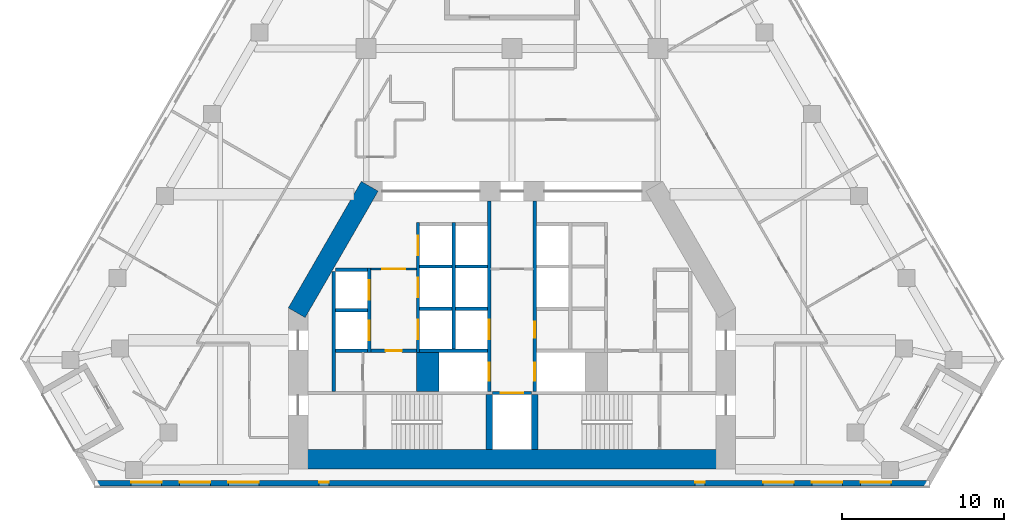
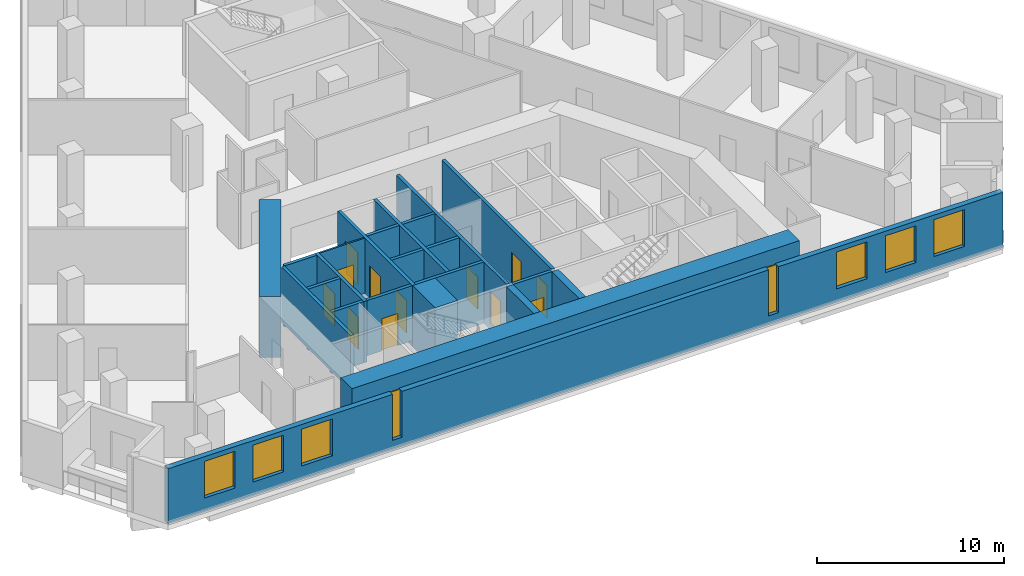
# One storey, part 4 of 10: 23 walls, 12 doors, 8 windows, 20 openings.
"""IFC4 building model written with IfcOpenShell, lengths in metres."""

from ifc_helpers import new_model, si_unit, direction, frame, frame_2d, origin, place, context, subcontext, project, spatial, rectangle, extrude, material, layer, layer_set, type_object, element, fill, save


model = new_model("IFC4")

# Units and contexts
model_context = context("Model", 3, precision=1e-05, world=origin(), true_north=direction((0.0, 1.0)))
body_context = subcontext(model_context, "Body", "Model", "MODEL_VIEW")
ifc_project = project(units=[si_unit("LENGTHUNIT", "METRE"), si_unit("AREAUNIT", "SQUARE_METRE"), si_unit("VOLUMEUNIT", "CUBIC_METRE"), si_unit("PLANEANGLEUNIT", "RADIAN"), si_unit("MASSUNIT", "GRAM", prefix="KILO")], contexts=[model_context])

# Site, building, storey
site_placement = place(None, origin())
site = spatial("IfcSite", under=ifc_project, at=site_placement, CompositionType="ELEMENT")
building_placement = place(site_placement, origin())
building = spatial("IfcBuilding", under=site, at=building_placement, Name="Fogline Exchange Tower", CompositionType="ELEMENT")
storey_placement = place(building_placement, frame((0.0, 0.0, 116.10009765625)))
storey = spatial("IfcBuildingStorey", under=building, at=storey_placement, Name="L25", CompositionType="ELEMENT", Elevation=116.10009765625)

# Wall, opening, door
ifc_material_1 = material(Name="Blockwork partition", Category="masonry")
ifc_layer_1 = layer(ifc_material_1, 0.10009765625)
ifc_layer_set_1 = layer_set([ifc_layer_1], Name="CW10")
wall_type_1 = type_object("IfcWallType", Name="CW10", PredefinedType="PARTITIONING", material=ifc_layer_set_1)
wall_1_placement = place(storey_placement, frame((-8.699951171875, 13.39990234375, 0.0), z_axis=(0.0, 0.0, 1.0), x_axis=(1.0, 0.0, 0.0)))
wall_1 = element("IfcWall", 1, at=wall_1_placement, inside=storey, type_object=wall_type_1, Name="Lift lobby partition", PredefinedType="PARTITIONING", context=body_context, shape_type="SweptSolid", body=[
    extrude(rectangle(XDim=2.800048828125, YDim=0.10009765625, at=frame_2d((1.39990234375, 0.0))), origin(), (0.0, 0.0, 1.0), 3.599853515625),
])
opening_1_placement = place(wall_1_placement, frame((0.699951171875, 0.0, 0.0)))
opening_1 = element("IfcOpeningElement", 2, at=opening_1_placement, cuts=wall_1, Name="Opening T07-C007", PredefinedType="OPENING", context=body_context, shape_type="SweptSolid", body=[
    extrude(rectangle(XDim=1.39990234375, YDim=2.10009765625, at=frame_2d((0.699951171875, 1.050048828125))), frame((0.0, 0.06005859375, 0.0), z_axis=(0.0, -1.0, 0.0), x_axis=(1.0, 0.0, 0.0)), (0.0, 0.0, 1.0), 0.1201171875),
])
ifc_material_2 = material(Name="Steel and timber fire door", Category="steel")
door_type_1 = type_object("IfcDoorType", Name="D-LB1", OperationType="DOUBLE_DOOR_SINGLE_SWING", PredefinedType="DOOR", material=ifc_material_2)
door_1_placement = place(opening_1_placement, frame((1.39990234375, 0.0, 0.0), z_axis=(0.0, 0.0, 1.0), x_axis=(-1.0, 0.0, 0.0)))
door_1 = element("IfcDoor", 3, at=door_1_placement, inside=storey, type_object=door_type_1, Name="Door to lift lobby", OperationType="DOUBLE_DOOR_SINGLE_SWING", OverallHeight=2.10009765625, OverallWidth=1.39990234375, PredefinedType="DOOR", context=body_context, shape_type="SweptSolid", body=[
    extrude(rectangle(XDim=1.39990234375, YDim=2.10009765625, at=frame_2d((0.699951171875, 1.050048828125))), frame((0.0, 0.02490234375, 0.0), z_axis=(0.0, -1.0, 0.0), x_axis=(1.0, 0.0, 0.0)), (0.0, 0.0, 1.0), 0.050048828125),
])
fill(opening_1, door_1)

# Walls
ifc_material_3 = material(Name="Concrete C60", Category="concrete")
ifc_layer_2 = layer(ifc_material_3, 1.39990234375)
ifc_layer_set_2 = layer_set([ifc_layer_2], Name="CW140")
wall_type_2 = type_object("IfcWallType", Name="CW140", PredefinedType="SOLIDWALL", material=ifc_layer_set_2)
wall_2_placement = place(storey_placement, frame((-5.199951171875, 5.85009765625, -0.400146484375), z_axis=(0.0, 0.0, 1.0), x_axis=(0.0, 1.0, 0.0)))
element("IfcWall", 4, at=wall_2_placement, inside=storey, type_object=wall_type_2, Name="Lift shaft block wall", PredefinedType="SOLIDWALL", context=body_context, shape_type="SweptSolid", body=[
    extrude(rectangle(XDim=2.39990234375, YDim=1.39990234375, at=frame_2d((1.199951171875, 0.0))), origin(), (0.0, 0.0, 1.0), 4.0),
])
ifc_material_4 = material(Name="Concrete C40", Category="concrete")
ifc_layer_3 = layer(ifc_material_4, 0.199951171875)
ifc_layer_set_3 = layer_set([ifc_layer_3], Name="CW20")
wall_type_3 = type_object("IfcWallType", Name="CW20", PredefinedType="SOLIDWALL", material=ifc_layer_set_3)
wall_3_placement = place(storey_placement, frame((-11.0, 5.85009765625, 0.0), z_axis=(0.0, 0.0, 1.0), x_axis=(0.0, 1.0, 0.0)))
element("IfcWall", 5, at=wall_3_placement, inside=storey, type_object=wall_type_3, Name="Service room wall", PredefinedType="SOLIDWALL", context=body_context, shape_type="SweptSolid", body=[
    extrude(rectangle(XDim=7.39990234375, YDim=0.199951171875, at=frame_2d((3.699951171875, 0.0))), origin(), (0.0, 0.0, 1.0), 3.599853515625),
])

# Wall, opening, door
wall_4_placement = place(storey_placement, frame((-8.699951171875, 8.35009765625, 0.0), z_axis=(0.0, 0.0, 1.0), x_axis=(1.0, 0.0, 0.0)))
wall_4 = element("IfcWall", 6, at=wall_4_placement, inside=storey, type_object=wall_type_3, Name="WC wall", PredefinedType="SOLIDWALL", context=body_context, shape_type="SweptSolid", body=[
    extrude(rectangle(XDim=2.800048828125, YDim=0.199951171875, at=frame_2d((1.39990234375, 0.0))), origin(), (0.0, 0.0, 1.0), 3.599853515625),
])
opening_2_placement = place(wall_4_placement, frame((0.89990234375, 0.0, 0.0)))
opening_2 = element("IfcOpeningElement", 7, at=opening_2_placement, cuts=wall_4, Name="Opening T07-C008", PredefinedType="OPENING", context=body_context, shape_type="SweptSolid", body=[
    extrude(rectangle(XDim=1.0, YDim=2.10009765625, at=frame_2d((0.5, 1.050048828125))), frame((0.0, 0.10986328125, 0.0), z_axis=(0.0, -1.0, 0.0), x_axis=(1.0, 0.0, 0.0)), (0.0, 0.0, 1.0), 0.219970703125),
])
door_type_2 = type_object("IfcDoorType", Name="D-WC1", OperationType="SINGLE_SWING_LEFT", PredefinedType="DOOR", material=ifc_material_2)
door_2_placement = place(opening_2_placement, frame((1.0, 0.0, 0.0), z_axis=(0.0, 0.0, 1.0), x_axis=(-1.0, 0.0, 0.0)))
door_2 = element("IfcDoor", 8, at=door_2_placement, inside=storey, type_object=door_type_2, Name="Door to Men's WC", OperationType="SINGLE_SWING_LEFT", OverallHeight=2.10009765625, OverallWidth=1.0, PredefinedType="DOOR", context=body_context, shape_type="SweptSolid", body=[
    extrude(rectangle(XDim=1.0, YDim=2.10009765625, at=frame_2d((0.5, 1.050048828125))), frame((0.0, 0.02490234375, 0.0), z_axis=(0.0, -1.0, 0.0), x_axis=(1.0, 0.0, 0.0)), (0.0, 0.0, 1.0), 0.050048828125),
])
fill(opening_2, door_2)

ifc_layer_4 = layer(ifc_material_4, 0.199951171875)
ifc_layer_set_4 = layer_set([ifc_layer_4], Name="CW20R")
wall_type_4 = type_object("IfcWallType", Name="CW20R", PredefinedType="SOLIDWALL", material=ifc_layer_set_4)
wall_5_placement = place(storey_placement, frame((-1.199951171875, 5.75, -0.400146484375), z_axis=(0.0, 0.0, 1.0), x_axis=(1.0, 0.0, 0.0)))
wall_5 = element("IfcWall", 9, at=wall_5_placement, inside=storey, type_object=wall_type_4, Name="Stair enclosure wall", PredefinedType="SOLIDWALL", context=body_context, shape_type="SweptSolid", body=[
    extrude(rectangle(XDim=2.39990234375, YDim=0.199951171875, at=frame_2d((1.199951171875, 0.0))), origin(), (0.0, 0.0, 1.0), 4.0),
])
opening_3_placement = place(wall_5_placement, frame((0.5, 0.0, 0.39990234375)))
opening_3 = element("IfcOpeningElement", 10, at=opening_3_placement, cuts=wall_5, Name="Opening T07-LD09", PredefinedType="OPENING", context=body_context, shape_type="SweptSolid", body=[
    extrude(rectangle(XDim=1.39990234375, YDim=2.10009765625, at=frame_2d((0.699951171875, 1.050048828125))), frame((0.0, 0.10986328125, 0.0), z_axis=(0.0, -1.0, 0.0), x_axis=(1.0, 0.0, 0.0)), (0.0, 0.0, 1.0), 0.219970703125),
])
door_type_3 = type_object("IfcDoorType", Name="LD3", OperationType="SLIDING_TO_LEFT", PredefinedType="DOOR", material=ifc_material_2)
door_3_placement = place(opening_3_placement, origin())
door_3 = element("IfcDoor", 11, at=door_3_placement, inside=storey, type_object=door_type_3, Name="Landing door GL1", OperationType="SLIDING_TO_LEFT", OverallHeight=2.10009765625, OverallWidth=1.39990234375, PredefinedType="DOOR", context=body_context, shape_type="SweptSolid", body=[
    extrude(rectangle(XDim=1.39990234375, YDim=2.10009765625, at=frame_2d((0.699951171875, 1.050048828125))), frame((0.0, 0.02490234375, 0.0), z_axis=(0.0, -1.0, 0.0), x_axis=(1.0, 0.0, 0.0)), (0.0, 0.0, 1.0), 0.050048828125),
])
fill(opening_3, door_3)

# Wall, openings, doors
ifc_layer_5 = layer(ifc_material_4, 0.199951171875)
ifc_layer_set_5 = layer_set([ifc_layer_5], Name="CW20S")
wall_type_5 = type_object("IfcWallType", Name="CW20S", PredefinedType="SOLIDWALL", material=ifc_layer_set_5)
wall_6_placement = place(storey_placement, frame((-8.800048828125, 8.25, -0.400146484375), z_axis=(0.0, 0.0, 1.0), x_axis=(0.0, 1.0, 0.0)))
wall_6 = element("IfcWall", 12, at=wall_6_placement, inside=storey, type_object=wall_type_5, Name="Lift shaft wall", PredefinedType="SOLIDWALL", context=body_context, shape_type="SweptSolid", body=[
    extrude(rectangle(XDim=5.199951171875, YDim=0.199951171875, at=frame_2d((2.60009765625, 0.0))), origin(), (0.0, 0.0, 1.0), 4.0),
])
opening_4_placement = place(wall_6_placement, frame((0.75, 0.0, 0.39990234375)))
opening_4 = element("IfcOpeningElement", 13, at=opening_4_placement, cuts=wall_6, Name="Opening T07-LD01", PredefinedType="OPENING", context=body_context, shape_type="SweptSolid", body=[
    extrude(rectangle(XDim=1.199951171875, YDim=2.10009765625, at=frame_2d((0.60009765625, 1.050048828125))), frame((0.0, 0.10986328125, 0.0), z_axis=(0.0, -1.0, 0.0), x_axis=(1.0, 0.0, 0.0)), (0.0, 0.0, 1.0), 0.219970703125),
])
opening_5_placement = place(wall_6_placement, frame((3.25, 0.0, 0.39990234375)))
opening_5 = element("IfcOpeningElement", 14, at=opening_5_placement, cuts=wall_6, Name="Opening T07-LD02", PredefinedType="OPENING", context=body_context, shape_type="SweptSolid", body=[
    extrude(rectangle(XDim=1.199951171875, YDim=2.10009765625, at=frame_2d((0.60009765625, 1.050048828125))), frame((0.0, 0.10986328125, 0.0), z_axis=(0.0, -1.0, 0.0), x_axis=(1.0, 0.0, 0.0)), (0.0, 0.0, 1.0), 0.219970703125),
])
door_type_4 = type_object("IfcDoorType", Name="LD1", OperationType="SLIDING_TO_LEFT", PredefinedType="DOOR", material=ifc_material_2)
door_4_placement = place(opening_4_placement, origin())
door_4 = element("IfcDoor", 15, at=door_4_placement, inside=storey, type_object=door_type_4, Name="Landing door LR1", OperationType="SLIDING_TO_LEFT", OverallHeight=2.10009765625, OverallWidth=1.199951171875, PredefinedType="DOOR", context=body_context, shape_type="SweptSolid", body=[
    extrude(rectangle(XDim=1.199951171875, YDim=2.10009765625, at=frame_2d((0.60009765625, 1.050048828125))), frame((0.0, 0.02490234375, 0.0), z_axis=(0.0, -1.0, 0.0), x_axis=(1.0, 0.0, 0.0)), (0.0, 0.0, 1.0), 0.050048828125),
])
fill(opening_4, door_4)
door_5_placement = place(opening_5_placement, origin())
door_5 = element("IfcDoor", 16, at=door_5_placement, inside=storey, type_object=door_type_4, Name="Landing door LR2", OperationType="SLIDING_TO_LEFT", OverallHeight=2.10009765625, OverallWidth=1.199951171875, PredefinedType="DOOR", context=body_context, shape_type="SweptSolid", body=[
    extrude(rectangle(XDim=1.199951171875, YDim=2.10009765625, at=frame_2d((0.60009765625, 1.050048828125))), frame((0.0, 0.02490234375, 0.0), z_axis=(0.0, -1.0, 0.0), x_axis=(1.0, 0.0, 0.0)), (0.0, 0.0, 1.0), 0.050048828125),
])
fill(opening_5, door_5)

wall_7_placement = place(storey_placement, frame((-5.800048828125, 8.25, -0.400146484375), z_axis=(0.0, 0.0, 1.0), x_axis=(0.0, 1.0, 0.0)))
wall_7 = element("IfcWall", 17, at=wall_7_placement, inside=storey, type_object=wall_type_5, Name="Lift shaft wall", PredefinedType="SOLIDWALL", context=body_context, shape_type="SweptSolid", body=[
    extrude(rectangle(XDim=8.0, YDim=0.199951171875, at=frame_2d((4.0, 0.0))), origin(), (0.0, 0.0, 1.0), 4.0),
])
opening_6_placement = place(wall_7_placement, frame((0.800048828125, 0.0, 0.39990234375)))
opening_6 = element("IfcOpeningElement", 18, at=opening_6_placement, cuts=wall_7, Name="Opening T07-LD03", PredefinedType="OPENING", context=body_context, shape_type="SweptSolid", body=[
    extrude(rectangle(XDim=1.199951171875, YDim=2.10009765625, at=frame_2d((0.60009765625, 1.050048828125))), frame((0.0, 0.10986328125, 0.0), z_axis=(0.0, -1.0, 0.0), x_axis=(1.0, 0.0, 0.0)), (0.0, 0.0, 1.0), 0.219970703125),
])
opening_7_placement = place(wall_7_placement, frame((3.39990234375, 0.0, 0.39990234375)))
opening_7 = element("IfcOpeningElement", 19, at=opening_7_placement, cuts=wall_7, Name="Opening T07-LD04", PredefinedType="OPENING", context=body_context, shape_type="SweptSolid", body=[
    extrude(rectangle(XDim=1.199951171875, YDim=2.10009765625, at=frame_2d((0.60009765625, 1.050048828125))), frame((0.0, 0.10986328125, 0.0), z_axis=(0.0, -1.0, 0.0), x_axis=(1.0, 0.0, 0.0)), (0.0, 0.0, 1.0), 0.219970703125),
])
opening_8_placement = place(wall_7_placement, frame((6.0, 0.0, 0.39990234375)))
opening_8 = element("IfcOpeningElement", 20, at=opening_8_placement, cuts=wall_7, Name="Opening T07-LD05", PredefinedType="OPENING", context=body_context, shape_type="SweptSolid", body=[
    extrude(rectangle(XDim=1.199951171875, YDim=2.10009765625, at=frame_2d((0.60009765625, 1.050048828125))), frame((0.0, 0.10986328125, 0.0), z_axis=(0.0, -1.0, 0.0), x_axis=(1.0, 0.0, 0.0)), (0.0, 0.0, 1.0), 0.219970703125),
])
door_6_placement = place(opening_6_placement, origin())
door_6 = element("IfcDoor", 21, at=door_6_placement, inside=storey, type_object=door_type_4, Name="Landing door LR3", OperationType="SLIDING_TO_LEFT", OverallHeight=2.10009765625, OverallWidth=1.199951171875, PredefinedType="DOOR", context=body_context, shape_type="SweptSolid", body=[
    extrude(rectangle(XDim=1.199951171875, YDim=2.10009765625, at=frame_2d((0.60009765625, 1.050048828125))), frame((0.0, 0.02490234375, 0.0), z_axis=(0.0, -1.0, 0.0), x_axis=(1.0, 0.0, 0.0)), (0.0, 0.0, 1.0), 0.050048828125),
])
fill(opening_6, door_6)
door_7_placement = place(opening_7_placement, origin())
door_7 = element("IfcDoor", 22, at=door_7_placement, inside=storey, type_object=door_type_4, Name="Landing door LR4", OperationType="SLIDING_TO_LEFT", OverallHeight=2.10009765625, OverallWidth=1.199951171875, PredefinedType="DOOR", context=body_context, shape_type="SweptSolid", body=[
    extrude(rectangle(XDim=1.199951171875, YDim=2.10009765625, at=frame_2d((0.60009765625, 1.050048828125))), frame((0.0, 0.02490234375, 0.0), z_axis=(0.0, -1.0, 0.0), x_axis=(1.0, 0.0, 0.0)), (0.0, 0.0, 1.0), 0.050048828125),
])
fill(opening_7, door_7)
door_8_placement = place(opening_8_placement, origin())
door_8 = element("IfcDoor", 23, at=door_8_placement, inside=storey, type_object=door_type_4, Name="Landing door LR5", OperationType="SLIDING_TO_LEFT", OverallHeight=2.10009765625, OverallWidth=1.199951171875, PredefinedType="DOOR", context=body_context, shape_type="SweptSolid", body=[
    extrude(rectangle(XDim=1.199951171875, YDim=2.10009765625, at=frame_2d((0.60009765625, 1.050048828125))), frame((0.0, 0.02490234375, 0.0), z_axis=(0.0, -1.0, 0.0), x_axis=(1.0, 0.0, 0.0)), (0.0, 0.0, 1.0), 0.050048828125),
])
fill(opening_8, door_8)

# Wall
wall_8_placement = place(storey_placement, frame((-3.60009765625, 8.449951171875, -0.400146484375), z_axis=(0.0, 0.0, 1.0), x_axis=(0.0, 1.0, 0.0)))
element("IfcWall", 24, at=wall_8_placement, inside=storey, type_object=wall_type_5, Name="Lift shaft wall", PredefinedType="SOLIDWALL", context=body_context, shape_type="SweptSolid", body=[
    extrude(rectangle(XDim=7.800048828125, YDim=0.199951171875, at=frame_2d((3.89990234375, 0.0))), origin(), (0.0, 0.0, 1.0), 4.0),
])

# Wall, openings, doors
wall_9_placement = place(storey_placement, frame((-1.39990234375, 5.85009765625, -0.400146484375), z_axis=(0.0, 0.0, 1.0), x_axis=(0.0, 1.0, 0.0)))
wall_9 = element("IfcWall", 25, at=wall_9_placement, inside=storey, type_object=wall_type_5, Name="Lift lobby wall", PredefinedType="SOLIDWALL", context=body_context, shape_type="SweptSolid", body=[
    extrude(rectangle(XDim=11.75, YDim=0.199951171875, at=frame_2d((5.875, 0.0))), origin(), (0.0, 0.0, 1.0), 4.0),
])
opening_9_placement = place(wall_9_placement, frame((3.199951171875, 0.0, 0.39990234375)))
opening_9 = element("IfcOpeningElement", 26, at=opening_9_placement, cuts=wall_9, Name="Opening T07-LD06", PredefinedType="OPENING", context=body_context, shape_type="SweptSolid", body=[
    extrude(rectangle(XDim=1.199951171875, YDim=2.10009765625, at=frame_2d((0.60009765625, 1.050048828125))), frame((0.0, 0.10986328125, 0.0), z_axis=(0.0, -1.0, 0.0), x_axis=(1.0, 0.0, 0.0)), (0.0, 0.0, 1.0), 0.219970703125),
])
opening_10_placement = place(wall_9_placement, frame((0.64990234375, 0.0, 0.39990234375)))
opening_10 = element("IfcOpeningElement", 27, at=opening_10_placement, cuts=wall_9, Name="Opening T07-LD07", PredefinedType="OPENING", context=body_context, shape_type="SweptSolid", body=[
    extrude(rectangle(XDim=1.10009765625, YDim=2.10009765625, at=frame_2d((0.550048828125, 1.050048828125))), frame((0.0, 0.10986328125, 0.0), z_axis=(0.0, -1.0, 0.0), x_axis=(1.0, 0.0, 0.0)), (0.0, 0.0, 1.0), 0.219970703125),
])
door_9_placement = place(opening_9_placement, origin())
door_9 = element("IfcDoor", 28, at=door_9_placement, inside=storey, type_object=door_type_4, Name="Landing door LR6", OperationType="SLIDING_TO_LEFT", OverallHeight=2.10009765625, OverallWidth=1.199951171875, PredefinedType="DOOR", context=body_context, shape_type="SweptSolid", body=[
    extrude(rectangle(XDim=1.199951171875, YDim=2.10009765625, at=frame_2d((0.60009765625, 1.050048828125))), frame((0.0, 0.02490234375, 0.0), z_axis=(0.0, -1.0, 0.0), x_axis=(1.0, 0.0, 0.0)), (0.0, 0.0, 1.0), 0.050048828125),
])
fill(opening_9, door_9)
door_type_5 = type_object("IfcDoorType", Name="LD2", OperationType="SLIDING_TO_RIGHT", PredefinedType="DOOR", material=ifc_material_2)
door_10_placement = place(opening_10_placement, origin())
door_10 = element("IfcDoor", 29, at=door_10_placement, inside=storey, type_object=door_type_5, Name="Landing door FF1", OperationType="SLIDING_TO_RIGHT", OverallHeight=2.10009765625, OverallWidth=1.10009765625, PredefinedType="DOOR", context=body_context, shape_type="SweptSolid", body=[
    extrude(rectangle(XDim=1.10009765625, YDim=2.10009765625, at=frame_2d((0.550048828125, 1.050048828125))), frame((0.0, 0.02490234375, 0.0), z_axis=(0.0, -1.0, 0.0), x_axis=(1.0, 0.0, 0.0)), (0.0, 0.0, 1.0), 0.050048828125),
])
fill(opening_10, door_10)

wall_10_placement = place(storey_placement, frame((1.39990234375, 5.85009765625, -0.400146484375), z_axis=(0.0, 0.0, 1.0), x_axis=(0.0, 1.0, 0.0)))
wall_10 = element("IfcWall", 30, at=wall_10_placement, inside=storey, type_object=wall_type_5, Name="Lift lobby wall", PredefinedType="SOLIDWALL", context=body_context, shape_type="SweptSolid", body=[
    extrude(rectangle(XDim=11.75, YDim=0.199951171875, at=frame_2d((5.875, 0.0))), origin(), (0.0, 0.0, 1.0), 4.0),
])
opening_11_placement = place(wall_10_placement, frame((0.64990234375, 0.0, 0.39990234375)))
opening_11 = element("IfcOpeningElement", 31, at=opening_11_placement, cuts=wall_10, Name="Opening T07-LD08", PredefinedType="OPENING", context=body_context, shape_type="SweptSolid", body=[
    extrude(rectangle(XDim=1.10009765625, YDim=2.10009765625, at=frame_2d((0.550048828125, 1.050048828125))), frame((0.0, 0.10986328125, 0.0), z_axis=(0.0, -1.0, 0.0), x_axis=(1.0, 0.0, 0.0)), (0.0, 0.0, 1.0), 0.219970703125),
])
opening_12_placement = place(wall_10_placement, frame((3.300048828125, 0.0, 0.39990234375)))
opening_12 = element("IfcOpeningElement", 32, at=opening_12_placement, cuts=wall_10, Name="Opening T07-C006", PredefinedType="OPENING", context=body_context, shape_type="SweptSolid", body=[
    extrude(rectangle(XDim=1.0, YDim=2.10009765625, at=frame_2d((0.5, 1.050048828125))), frame((0.0, 0.10986328125, 0.0), z_axis=(0.0, -1.0, 0.0), x_axis=(1.0, 0.0, 0.0)), (0.0, 0.0, 1.0), 0.219970703125),
])
door_type_6 = type_object("IfcDoorType", Name="D-RM1", OperationType="SINGLE_SWING_LEFT", PredefinedType="DOOR", material=ifc_material_2)
door_11_placement = place(opening_12_placement, frame((1.0, 0.0, 0.0), z_axis=(0.0, 0.0, 1.0), x_axis=(-1.0, 0.0, 0.0)))
door_11 = element("IfcDoor", 33, at=door_11_placement, inside=storey, type_object=door_type_6, Name="Door to Server Room", OperationType="SINGLE_SWING_RIGHT", OverallHeight=2.10009765625, OverallWidth=1.0, PredefinedType="DOOR", context=body_context, shape_type="SweptSolid", body=[
    extrude(rectangle(XDim=1.0, YDim=2.10009765625, at=frame_2d((0.5, 1.050048828125))), frame((0.0, 0.02490234375, 0.0), z_axis=(0.0, -1.0, 0.0), x_axis=(1.0, 0.0, 0.0)), (0.0, 0.0, 1.0), 0.050048828125),
])
fill(opening_12, door_11)
door_12_placement = place(opening_11_placement, origin())
door_12 = element("IfcDoor", 34, at=door_12_placement, inside=storey, type_object=door_type_5, Name="Landing door FF2", OperationType="SLIDING_TO_RIGHT", OverallHeight=2.10009765625, OverallWidth=1.10009765625, PredefinedType="DOOR", context=body_context, shape_type="SweptSolid", body=[
    extrude(rectangle(XDim=1.10009765625, YDim=2.10009765625, at=frame_2d((0.550048828125, 1.050048828125))), frame((0.0, 0.02490234375, 0.0), z_axis=(0.0, -1.0, 0.0), x_axis=(1.0, 0.0, 0.0)), (0.0, 0.0, 1.0), 0.050048828125),
])
fill(opening_11, door_12)

# Walls
wall_11_placement = place(storey_placement, frame((-10.89990234375, 8.35009765625, -0.400146484375), z_axis=(0.0, 0.0, 1.0), x_axis=(1.0, 0.0, 0.0)))
element("IfcWall", 35, at=wall_11_placement, inside=storey, type_object=wall_type_5, Name="Lift shaft wall", PredefinedType="SOLIDWALL", context=body_context, shape_type="SweptSolid", body=[
    extrude(rectangle(XDim=2.0, YDim=0.199951171875, at=frame_2d((1.0, 0.0))), origin(), (0.0, 0.0, 1.0), 4.0),
])
wall_12_placement = place(storey_placement, frame((-5.699951171875, 8.35009765625, -0.400146484375), z_axis=(0.0, 0.0, 1.0), x_axis=(1.0, 0.0, 0.0)))
element("IfcWall", 36, at=wall_12_placement, inside=storey, type_object=wall_type_5, Name="Lift shaft wall", PredefinedType="SOLIDWALL", context=body_context, shape_type="SweptSolid", body=[
    extrude(rectangle(XDim=4.199951171875, YDim=0.199951171875, at=frame_2d((2.10009765625, 0.0))), origin(), (0.0, 0.0, 1.0), 4.0),
])
for number, where, z_axis, x_axis, name in (
    (37, (-10.89990234375, 10.85009765625, -0.400146484375), (0.0, 0.0, 1.0), (1.0, 0.0, 0.0), "Lift shaft wall"),
    (38, (-10.89990234375, 13.35009765625, -0.400146484375), (0.0, 0.0, 1.0), (1.0, 0.0, 0.0), "Lift shaft wall"),
    (39, (-5.699951171875, 10.949951171875, -0.400146484375), (0.0, 0.0, 1.0), (1.0, 0.0, 0.0), "Lift shaft wall"),
    (40, (-5.699951171875, 13.550048828125, -0.400146484375), (0.0, 0.0, 1.0), (1.0, 0.0, 0.0), "Lift shaft wall"),
    (41, (-3.5, 10.949951171875, -0.400146484375), (0.0, 0.0, 1.0), (1.0, 0.0, 0.0), "Lift shaft wall"),
    (42, (-3.5, 13.550048828125, -0.400146484375), (0.0, 0.0, 1.0), (1.0, 0.0, 0.0), "Lift shaft wall"),
):
    element("IfcWall", number, at=place(storey_placement, frame(where, z_axis=z_axis, x_axis=x_axis)), inside=storey, type_object=wall_type_5, Name=name, PredefinedType="SOLIDWALL", context=body_context, shape_type="SweptSolid", body=[
        extrude(rectangle(XDim=2.0, YDim=0.199951171875, at=frame_2d((1.0, 0.0))), origin(), (0.0, 0.0, 1.0), 4.0),
    ])
ifc_layer_6 = layer(ifc_material_4, 0.39990234375)
ifc_layer_set_6 = layer_set([ifc_layer_6], Name="CW40R")
wall_type_6 = type_object("IfcWallType", Name="CW40R", PredefinedType="SOLIDWALL", material=ifc_layer_set_6)
for number, where, z_axis, x_axis, name in (
    (43, (-1.39990234375, 2.25, -0.400146484375), (0.0, 0.0, 1.0), (0.0, 1.0, 0.0), "Stair and lift shaft wall"),
    (44, (1.39990234375, 2.25, -0.400146484375), (0.0, 0.0, 1.0), (0.0, 1.0, 0.0), "Stair and lift shaft wall"),
):
    element("IfcWall", number, at=place(storey_placement, frame(where, z_axis=z_axis, x_axis=x_axis)), inside=storey, type_object=wall_type_6, Name=name, PredefinedType="SOLIDWALL", context=body_context, shape_type="SweptSolid", body=[
        extrude(rectangle(XDim=3.39990234375, YDim=0.39990234375, at=frame_2d((1.699951171875, 0.0))), origin(), (0.0, 0.0, 1.0), 4.0),
    ])

# Wall, openings, windows
ifc_material_5 = material(Name="Brick masonry", Category="masonry")
ifc_layer_7 = layer(ifc_material_5, 0.340087890625)
ifc_layer_set_7 = layer_set([ifc_layer_7], Name="FW1")
wall_type_7 = type_object("IfcWallType", Name="FW1", PredefinedType="SOLIDWALL", material=ifc_layer_set_7)
wall_13_placement = place(storey_placement, frame((-25.765625, 0.169921875, 0.0), z_axis=(0.0, 0.0, 1.0), x_axis=(1.0, 0.0, 0.0)))
wall_13 = element("IfcWall", 45, at=wall_13_placement, inside=storey, type_object=wall_type_7, Name="Brick wall L25 S", PredefinedType="SOLIDWALL", context=body_context, shape_type="SweptSolid", body=[
    extrude(rectangle(XDim=51.53125, YDim=0.340087890625, at=frame_2d((25.765625, 0.0))), origin(), (0.0, 0.0, 1.0), 3.599853515625),
])
opening_13_placement = place(wall_13_placement, frame((2.265625, 0.0, 0.89990234375)))
opening_13 = element("IfcOpeningElement", 46, at=opening_13_placement, cuts=wall_13, Name="Opening W1", PredefinedType="OPENING", context=body_context, shape_type="SweptSolid", body=[
    extrude(rectangle(XDim=1.885009765625, YDim=2.39990234375, at=frame_2d((0.9423828125, 1.199951171875))), frame((0.0, 0.18017578125, 0.0), z_axis=(0.0, -1.0, 0.0), x_axis=(1.0, 0.0, 0.0)), (0.0, 0.0, 1.0), 0.360107421875),
])
opening_14_placement = place(wall_13_placement, frame((5.265625, 0.0, 0.89990234375)))
opening_14 = element("IfcOpeningElement", 47, at=opening_14_placement, cuts=wall_13, Name="Opening W1", PredefinedType="OPENING", context=body_context, shape_type="SweptSolid", body=[
    extrude(rectangle(XDim=1.885009765625, YDim=2.39990234375, at=frame_2d((0.9423828125, 1.199951171875))), frame((0.0, 0.18017578125, 0.0), z_axis=(0.0, -1.0, 0.0), x_axis=(1.0, 0.0, 0.0)), (0.0, 0.0, 1.0), 0.360107421875),
])
opening_15_placement = place(wall_13_placement, frame((8.265625, 0.0, 0.89990234375)))
opening_15 = element("IfcOpeningElement", 48, at=opening_15_placement, cuts=wall_13, Name="Opening W1", PredefinedType="OPENING", context=body_context, shape_type="SweptSolid", body=[
    extrude(rectangle(XDim=1.885009765625, YDim=2.39990234375, at=frame_2d((0.9423828125, 1.199951171875))), frame((0.0, 0.18017578125, 0.0), z_axis=(0.0, -1.0, 0.0), x_axis=(1.0, 0.0, 0.0)), (0.0, 0.0, 1.0), 0.360107421875),
])
opening_16_placement = place(wall_13_placement, frame((41.265625, 0.0, 0.89990234375)))
opening_16 = element("IfcOpeningElement", 49, at=opening_16_placement, cuts=wall_13, Name="Opening W1", PredefinedType="OPENING", context=body_context, shape_type="SweptSolid", body=[
    extrude(rectangle(XDim=1.885009765625, YDim=2.39990234375, at=frame_2d((0.9423828125, 1.199951171875))), frame((0.0, 0.18017578125, 0.0), z_axis=(0.0, -1.0, 0.0), x_axis=(1.0, 0.0, 0.0)), (0.0, 0.0, 1.0), 0.360107421875),
])
opening_17_placement = place(wall_13_placement, frame((44.265625, 0.0, 0.89990234375)))
opening_17 = element("IfcOpeningElement", 50, at=opening_17_placement, cuts=wall_13, Name="Opening W1", PredefinedType="OPENING", context=body_context, shape_type="SweptSolid", body=[
    extrude(rectangle(XDim=1.885009765625, YDim=2.39990234375, at=frame_2d((0.9423828125, 1.199951171875))), frame((0.0, 0.18017578125, 0.0), z_axis=(0.0, -1.0, 0.0), x_axis=(1.0, 0.0, 0.0)), (0.0, 0.0, 1.0), 0.360107421875),
])
opening_18_placement = place(wall_13_placement, frame((47.265625, 0.0, 0.89990234375)))
opening_18 = element("IfcOpeningElement", 51, at=opening_18_placement, cuts=wall_13, Name="Opening W1", PredefinedType="OPENING", context=body_context, shape_type="SweptSolid", body=[
    extrude(rectangle(XDim=1.885009765625, YDim=2.39990234375, at=frame_2d((0.9423828125, 1.199951171875))), frame((0.0, 0.18017578125, 0.0), z_axis=(0.0, -1.0, 0.0), x_axis=(1.0, 0.0, 0.0)), (0.0, 0.0, 1.0), 0.360107421875),
])
opening_19_placement = place(wall_13_placement, frame((13.86572265625, 0.0, 0.60009765625)))
opening_19 = element("IfcOpeningElement", 52, at=opening_19_placement, cuts=wall_13, Name="Opening W5", PredefinedType="OPENING", context=body_context, shape_type="SweptSolid", body=[
    extrude(rectangle(XDim=0.60009765625, YDim=3.0, at=frame_2d((0.300048828125, 1.5))), frame((0.0, 0.18017578125, 0.0), z_axis=(0.0, -1.0, 0.0), x_axis=(1.0, 0.0, 0.0)), (0.0, 0.0, 1.0), 0.360107421875),
])
opening_20_placement = place(wall_13_placement, frame((37.065673828125, 0.0, 0.60009765625)))
opening_20 = element("IfcOpeningElement", 53, at=opening_20_placement, cuts=wall_13, Name="Opening W5", PredefinedType="OPENING", context=body_context, shape_type="SweptSolid", body=[
    extrude(rectangle(XDim=0.60009765625, YDim=3.0, at=frame_2d((0.300048828125, 1.5))), frame((0.0, 0.18017578125, 0.0), z_axis=(0.0, -1.0, 0.0), x_axis=(1.0, 0.0, 0.0)), (0.0, 0.0, 1.0), 0.360107421875),
])
ifc_material_6 = material(Name="Aluminium and glass", Category="aluminium")
window_type_1 = type_object("IfcWindowType", Name="W1", PartitioningType="SINGLE_PANEL", PredefinedType="WINDOW", material=ifc_material_6)
window_1_placement = place(opening_13_placement, origin())
window_1 = element("IfcWindow", 54, at=window_1_placement, inside=storey, type_object=window_type_1, Name="W1 W1", OverallHeight=2.39990234375, OverallWidth=1.885009765625, PartitioningType="SINGLE_PANEL", PredefinedType="WINDOW", context=body_context, shape_type="SweptSolid", body=[
    extrude(rectangle(XDim=1.885009765625, YDim=2.39990234375, at=frame_2d((0.9423828125, 1.199951171875))), frame((0.0, 0.110107421875, 0.0), z_axis=(0.0, -1.0, 0.0), x_axis=(1.0, 0.0, 0.0)), (0.0, 0.0, 1.0), 0.06005859375),
])
fill(opening_13, window_1)
window_2_placement = place(opening_14_placement, origin())
window_2 = element("IfcWindow", 55, at=window_2_placement, inside=storey, type_object=window_type_1, Name="W1 W1", OverallHeight=2.39990234375, OverallWidth=1.885009765625, PartitioningType="SINGLE_PANEL", PredefinedType="WINDOW", context=body_context, shape_type="SweptSolid", body=[
    extrude(rectangle(XDim=1.885009765625, YDim=2.39990234375, at=frame_2d((0.9423828125, 1.199951171875))), frame((0.0, 0.110107421875, 0.0), z_axis=(0.0, -1.0, 0.0), x_axis=(1.0, 0.0, 0.0)), (0.0, 0.0, 1.0), 0.06005859375),
])
fill(opening_14, window_2)
window_3_placement = place(opening_15_placement, origin())
window_3 = element("IfcWindow", 56, at=window_3_placement, inside=storey, type_object=window_type_1, Name="W1 W1", OverallHeight=2.39990234375, OverallWidth=1.885009765625, PartitioningType="SINGLE_PANEL", PredefinedType="WINDOW", context=body_context, shape_type="SweptSolid", body=[
    extrude(rectangle(XDim=1.885009765625, YDim=2.39990234375, at=frame_2d((0.9423828125, 1.199951171875))), frame((0.0, 0.110107421875, 0.0), z_axis=(0.0, -1.0, 0.0), x_axis=(1.0, 0.0, 0.0)), (0.0, 0.0, 1.0), 0.06005859375),
])
fill(opening_15, window_3)
window_4_placement = place(opening_16_placement, origin())
window_4 = element("IfcWindow", 57, at=window_4_placement, inside=storey, type_object=window_type_1, Name="W1 W1", OverallHeight=2.39990234375, OverallWidth=1.885009765625, PartitioningType="SINGLE_PANEL", PredefinedType="WINDOW", context=body_context, shape_type="SweptSolid", body=[
    extrude(rectangle(XDim=1.885009765625, YDim=2.39990234375, at=frame_2d((0.9423828125, 1.199951171875))), frame((0.0, 0.110107421875, 0.0), z_axis=(0.0, -1.0, 0.0), x_axis=(1.0, 0.0, 0.0)), (0.0, 0.0, 1.0), 0.06005859375),
])
fill(opening_16, window_4)
window_5_placement = place(opening_17_placement, origin())
window_5 = element("IfcWindow", 58, at=window_5_placement, inside=storey, type_object=window_type_1, Name="W1 W1", OverallHeight=2.39990234375, OverallWidth=1.885009765625, PartitioningType="SINGLE_PANEL", PredefinedType="WINDOW", context=body_context, shape_type="SweptSolid", body=[
    extrude(rectangle(XDim=1.885009765625, YDim=2.39990234375, at=frame_2d((0.9423828125, 1.199951171875))), frame((0.0, 0.110107421875, 0.0), z_axis=(0.0, -1.0, 0.0), x_axis=(1.0, 0.0, 0.0)), (0.0, 0.0, 1.0), 0.06005859375),
])
fill(opening_17, window_5)
window_6_placement = place(opening_18_placement, origin())
window_6 = element("IfcWindow", 59, at=window_6_placement, inside=storey, type_object=window_type_1, Name="W1 W1", OverallHeight=2.39990234375, OverallWidth=1.885009765625, PartitioningType="SINGLE_PANEL", PredefinedType="WINDOW", context=body_context, shape_type="SweptSolid", body=[
    extrude(rectangle(XDim=1.885009765625, YDim=2.39990234375, at=frame_2d((0.9423828125, 1.199951171875))), frame((0.0, 0.110107421875, 0.0), z_axis=(0.0, -1.0, 0.0), x_axis=(1.0, 0.0, 0.0)), (0.0, 0.0, 1.0), 0.06005859375),
])
fill(opening_18, window_6)
window_type_2 = type_object("IfcWindowType", Name="W5", PartitioningType="SINGLE_PANEL", PredefinedType="WINDOW", material=ifc_material_6)
window_7_placement = place(opening_19_placement, origin())
window_7 = element("IfcWindow", 60, at=window_7_placement, inside=storey, type_object=window_type_2, Name="W5 W5", OverallHeight=3.0, OverallWidth=0.60009765625, PartitioningType="SINGLE_PANEL", PredefinedType="WINDOW", context=body_context, shape_type="SweptSolid", body=[
    extrude(rectangle(XDim=0.60009765625, YDim=3.0, at=frame_2d((0.300048828125, 1.5))), frame((0.0, 0.110107421875, 0.0), z_axis=(0.0, -1.0, 0.0), x_axis=(1.0, 0.0, 0.0)), (0.0, 0.0, 1.0), 0.06005859375),
])
fill(opening_19, window_7)
window_8_placement = place(opening_20_placement, origin())
window_8 = element("IfcWindow", 61, at=window_8_placement, inside=storey, type_object=window_type_2, Name="W5 W5", OverallHeight=3.0, OverallWidth=0.60009765625, PartitioningType="SINGLE_PANEL", PredefinedType="WINDOW", context=body_context, shape_type="SweptSolid", body=[
    extrude(rectangle(XDim=0.60009765625, YDim=3.0, at=frame_2d((0.300048828125, 1.5))), frame((0.0, 0.110107421875, 0.0), z_axis=(0.0, -1.0, 0.0), x_axis=(1.0, 0.0, 0.0)), (0.0, 0.0, 1.0), 0.06005859375),
])
fill(opening_20, window_8)

# Walls
ifc_layer_8 = layer(ifc_material_3, 1.199951171875)
ifc_layer_set_8 = layer_set([ifc_layer_8], Name="SW02")
wall_type_8 = type_object("IfcWallType", Name="SW02", PredefinedType="SHEAR", material=ifc_layer_set_8)
wall_14_placement = place(storey_placement, frame((-13.800048828125, 1.64990234375, 0.0), z_axis=(0.0, 0.0, 1.0), x_axis=(1.0, 0.0, 0.0)))
element("IfcWall", 62, at=wall_14_placement, inside=storey, type_object=wall_type_8, Name="L25-W901", PredefinedType="SHEAR", context=body_context, shape_type="SweptSolid", body=[
    extrude(rectangle(XDim=27.60009765625, YDim=1.199951171875, at=frame_2d((13.800048828125, 0.0))), origin(), (0.0, 0.0, 1.0), 4.0),
])
wall_15_placement = place(storey_placement, frame((-8.776611328125, 18.5, 0.0), z_axis=(0.0, 0.0, 1.0), x_axis=(-0.499998513025, -0.866026262288, 0.0)))
element("IfcWall", 63, at=wall_15_placement, inside=storey, type_object=wall_type_8, Name="L25-W905", PredefinedType="SHEAR", context=body_context, shape_type="SweptSolid", body=[
    extrude(rectangle(XDim=9.0078125, YDim=1.199951171875, at=frame_2d((4.50390625, 0.0))), origin(), (0.0, 0.0, 1.0), 4.0),
])

save(model, "model.ifc")
